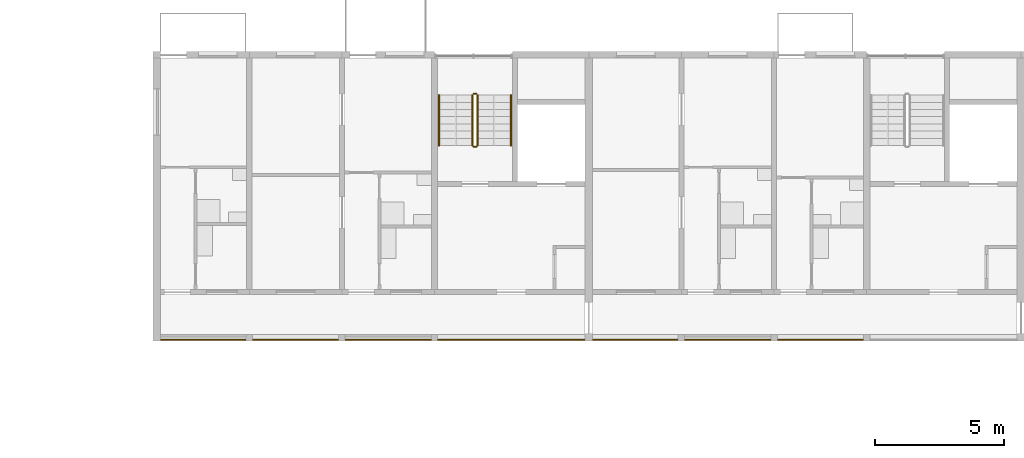
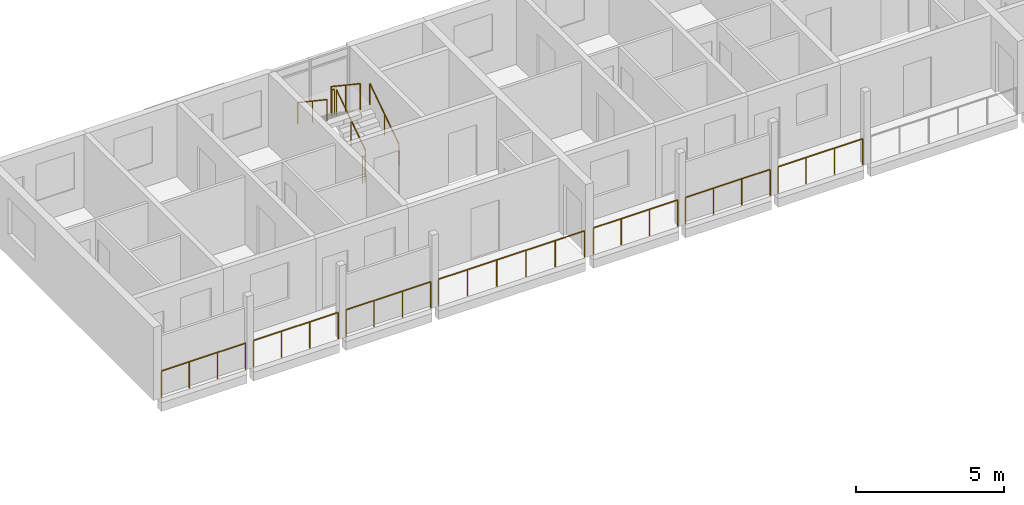
# One storey, part 84 of 93: 13 railings.
"""IFC4 building model written with IfcOpenShell, lengths in metres."""

from ifc_helpers import new_model, si_unit, direction, frame, origin, origin_2d, place, context, subcontext, project, spatial, circle, extrude, material, type_object, element, save


model = new_model("IFC4")

# Units and contexts
model_context = context("Model", 3, precision=1e-05, world=origin(), true_north=direction((0.0, 1.0)))
body_context = subcontext(model_context, "Body", "Model", "MODEL_VIEW")
ifc_project = project(units=[si_unit("LENGTHUNIT", "METRE"), si_unit("AREAUNIT", "SQUARE_METRE"), si_unit("VOLUMEUNIT", "CUBIC_METRE"), si_unit("PLANEANGLEUNIT", "RADIAN"), si_unit("MASSUNIT", "GRAM", prefix="KILO")], contexts=[model_context])

# Site, building, storey
site_placement = place(None, origin())
site = spatial("IfcSite", under=ifc_project, at=site_placement, CompositionType="ELEMENT")
building_placement = place(site_placement, origin())
building = spatial("IfcBuilding", under=site, at=building_placement, Name="Ridgestep Commons", CompositionType="ELEMENT")
storey_placement = place(building_placement, frame((0.0, 0.0, 18.0)))
storey = spatial("IfcBuildingStorey", under=building, at=storey_placement, Name="L06", CompositionType="ELEMENT", Elevation=18.0)

# Railings
ifc_material_1 = material(Name="Structural steel S355JR", Category="steel")
railing_type_1 = type_object("IfcRailingType", Name="Guard 1100", PredefinedType="GUARDRAIL", material=ifc_material_1)
railing_1_placement = place(storey_placement, frame((146.970947265625, 66.050048828125, 0.0)))
element("IfcRailing", 1, at=railing_1_placement, inside=storey, type_object=railing_type_1, Name="Gallery guard C 06.1", PredefinedType="GUARDRAIL", context=body_context, shape_type="SweptSolid", body=[
    extrude(circle(Radius=0.02392578125, at=origin_2d()), frame((0.0, 0.0, 1.076171875), z_axis=(1.0, 0.0, 0.0), x_axis=(0.0, 1.0, 0.0)), (0.0, 0.0, 1.0), 3.282958984375),
    extrude(circle(Radius=0.02099609375, at=origin_2d()), origin(), (0.0, 0.0, 1.0), 1.052001953125),
    extrude(circle(Radius=0.02099609375, at=origin_2d()), frame((1.09423828125, 0.0, 0.0)), (0.0, 0.0, 1.0), 1.052001953125),
    extrude(circle(Radius=0.02099609375, at=origin_2d()), frame((2.188720703125, 0.0, 0.0)), (0.0, 0.0, 1.0), 1.052001953125),
    extrude(circle(Radius=0.02099609375, at=origin_2d()), frame((3.282958984375, 0.0, 0.0)), (0.0, 0.0, 1.0), 1.052001953125),
])
for number, where, name in (
    (2, (150.5458984375, 66.050048828125, 0.0), "Gallery guard C 06.2"),
    (3, (154.14599609375, 66.050048828125, 0.0), "Gallery guard C 06.3"),
):
    element("IfcRailing", number, at=place(storey_placement, frame(where)), inside=storey, type_object=railing_type_1, Name=name, PredefinedType="GUARDRAIL", context=body_context, shape_type="SweptSolid", body=[
        extrude(circle(Radius=0.02392578125, at=origin_2d()), frame((0.0, 0.0, 1.076171875), z_axis=(1.0, 0.0, 0.0), x_axis=(0.0, 1.0, 0.0)), (0.0, 0.0, 1.0), 3.30810546875),
        extrude(circle(Radius=0.02099609375, at=origin_2d()), origin(), (0.0, 0.0, 1.0), 1.052001953125),
        extrude(circle(Radius=0.02099609375, at=origin_2d()), frame((1.102783203125, 0.0, 0.0)), (0.0, 0.0, 1.0), 1.052001953125),
        extrude(circle(Radius=0.02099609375, at=origin_2d()), frame((2.205322265625, 0.0, 0.0)), (0.0, 0.0, 1.0), 1.052001953125),
        extrude(circle(Radius=0.02099609375, at=origin_2d()), frame((3.30810546875, 0.0, 0.0)), (0.0, 0.0, 1.0), 1.052001953125),
    ])
railing_2_placement = place(storey_placement, frame((157.74609375, 66.050048828125, 0.0)))
element("IfcRailing", 4, at=railing_2_placement, inside=storey, type_object=railing_type_1, Name="Gallery guard C 06.4", PredefinedType="GUARDRAIL", context=body_context, shape_type="SweptSolid", body=[
    extrude(circle(Radius=0.02392578125, at=origin_2d()), frame((0.0, 0.0, 1.076171875), z_axis=(1.0, 0.0, 0.0), x_axis=(0.0, 1.0, 0.0)), (0.0, 0.0, 1.0), 5.682861328125),
    extrude(circle(Radius=0.02099609375, at=origin_2d()), origin(), (0.0, 0.0, 1.0), 1.052001953125),
    extrude(circle(Radius=0.02099609375, at=origin_2d()), frame((1.136474609375, 0.0, 0.0)), (0.0, 0.0, 1.0), 1.052001953125),
    extrude(circle(Radius=0.02099609375, at=origin_2d()), frame((2.273193359375, 0.0, 0.0)), (0.0, 0.0, 1.0), 1.052001953125),
    extrude(circle(Radius=0.02099609375, at=origin_2d()), frame((3.40966796875, 0.0, 0.0)), (0.0, 0.0, 1.0), 1.052001953125),
    extrude(circle(Radius=0.02099609375, at=origin_2d()), frame((4.54638671875, 0.0, 0.0)), (0.0, 0.0, 1.0), 1.052001953125),
    extrude(circle(Radius=0.02099609375, at=origin_2d()), frame((5.682861328125, 0.0, 0.0)), (0.0, 0.0, 1.0), 1.052001953125),
])
railing_3_placement = place(storey_placement, frame((163.77099609375, 66.050048828125, 0.0)))
element("IfcRailing", 5, at=railing_3_placement, inside=storey, type_object=railing_type_1, Name="Gallery guard C 06.5", PredefinedType="GUARDRAIL", context=body_context, shape_type="SweptSolid", body=[
    extrude(circle(Radius=0.02392578125, at=origin_2d()), frame((0.0, 0.0, 1.076171875), z_axis=(1.0, 0.0, 0.0), x_axis=(0.0, 1.0, 0.0)), (0.0, 0.0, 1.0), 3.282958984375),
    extrude(circle(Radius=0.02099609375, at=origin_2d()), origin(), (0.0, 0.0, 1.0), 1.052001953125),
    extrude(circle(Radius=0.02099609375, at=origin_2d()), frame((1.09423828125, 0.0, 0.0)), (0.0, 0.0, 1.0), 1.052001953125),
    extrude(circle(Radius=0.02099609375, at=origin_2d()), frame((2.188720703125, 0.0, 0.0)), (0.0, 0.0, 1.0), 1.052001953125),
    extrude(circle(Radius=0.02099609375, at=origin_2d()), frame((3.282958984375, 0.0, 0.0)), (0.0, 0.0, 1.0), 1.052001953125),
])
railing_4_placement = place(storey_placement, frame((167.345947265625, 66.050048828125, 0.0)))
element("IfcRailing", 6, at=railing_4_placement, inside=storey, type_object=railing_type_1, Name="Gallery guard C 06.6", PredefinedType="GUARDRAIL", context=body_context, shape_type="SweptSolid", body=[
    extrude(circle(Radius=0.02392578125, at=origin_2d()), frame((0.0, 0.0, 1.076171875), z_axis=(1.0, 0.0, 0.0), x_axis=(0.0, 1.0, 0.0)), (0.0, 0.0, 1.0), 3.30810546875),
    extrude(circle(Radius=0.02099609375, at=origin_2d()), origin(), (0.0, 0.0, 1.0), 1.052001953125),
    extrude(circle(Radius=0.02099609375, at=origin_2d()), frame((1.102783203125, 0.0, 0.0)), (0.0, 0.0, 1.0), 1.052001953125),
    extrude(circle(Radius=0.02099609375, at=origin_2d()), frame((2.205322265625, 0.0, 0.0)), (0.0, 0.0, 1.0), 1.052001953125),
    extrude(circle(Radius=0.02099609375, at=origin_2d()), frame((3.30810546875, 0.0, 0.0)), (0.0, 0.0, 1.0), 1.052001953125),
])
railing_5_placement = place(storey_placement, frame((170.946044921875, 66.050048828125, 0.0)))
element("IfcRailing", 7, at=railing_5_placement, inside=storey, type_object=railing_type_1, Name="Gallery guard C 06.7", PredefinedType="GUARDRAIL", context=body_context, shape_type="SweptSolid", body=[
    extrude(circle(Radius=0.02392578125, at=origin_2d()), frame((0.0, 0.0, 1.076171875), z_axis=(1.0, 0.0, 0.0), x_axis=(0.0, 1.0, 0.0)), (0.0, 0.0, 1.0), 3.307861328125),
    extrude(circle(Radius=0.02099609375, at=origin_2d()), origin(), (0.0, 0.0, 1.0), 1.052001953125),
    extrude(circle(Radius=0.02099609375, at=origin_2d()), frame((1.1025390625, 0.0, 0.0)), (0.0, 0.0, 1.0), 1.052001953125),
    extrude(circle(Radius=0.02099609375, at=origin_2d()), frame((2.205322265625, 0.0, 0.0)), (0.0, 0.0, 1.0), 1.052001953125),
    extrude(circle(Radius=0.02099609375, at=origin_2d()), frame((3.307861328125, 0.0, 0.0)), (0.0, 0.0, 1.0), 1.052001953125),
])
ifc_material_2 = material(Name="Structural steel S355JR", Category="steel")
railing_type_2 = type_object("IfcRailingType", Name="Stair guard 1100", PredefinedType="GUARDRAIL", material=ifc_material_2)
railing_6_placement = place(storey_placement, frame((159.27490234375, 73.60009765625, 0.1875)))
element("IfcRailing", 8, at=railing_6_placement, inside=storey, type_object=railing_type_2, Name="L06 C1C stair guard 1", PredefinedType="GUARDRAIL", context=body_context, shape_type="SweptSolid", body=[
    extrude(circle(Radius=0.02392578125, at=origin_2d()), frame((0.0, 0.0, 1.076171875), z_axis=(0.0, 0.830902050051, 0.556418712142), x_axis=(-1.0, 0.0, 0.0)), (0.0, 0.0, 1.0), 2.35888671875),
    extrude(circle(Radius=0.02099609375, at=origin_2d()), origin(), (0.0, 0.0, 1.0), 1.052001953125),
    extrude(circle(Radius=0.02099609375, at=origin_2d()), frame((0.0, 0.97998046875, 0.65625)), (0.0, 0.0, 1.0), 1.052001953125),
    extrude(circle(Radius=0.02099609375, at=origin_2d()), frame((0.0, 1.9599609375, 1.3125)), (0.0, 0.0, 1.0), 1.052001953125),
])
railing_7_placement = place(storey_placement, frame((159.22509765625, 75.610107421875, 1.5)))
element("IfcRailing", 9, at=railing_7_placement, inside=storey, type_object=railing_type_2, Name="L06 C1C stair guard 2", PredefinedType="GUARDRAIL", context=body_context, shape_type="SweptSolid", body=[
    extrude(circle(Radius=0.02392578125, at=origin_2d()), frame((0.0, 0.0, 1.076171875), z_axis=(-1.0, 0.0, 0.0), x_axis=(0.0, -1.0, 0.0)), (0.0, 0.0, 1.0), 0.10009765625),
    extrude(circle(Radius=0.02099609375, at=origin_2d()), origin(), (0.0, 0.0, 1.0), 1.052001953125),
    extrude(circle(Radius=0.02099609375, at=origin_2d()), frame((-0.10009765625, 0.0, 0.0)), (0.0, 0.0, 1.0), 1.052001953125),
])
railing_8_placement = place(storey_placement, frame((159.074951171875, 75.56005859375, 1.6875)))
element("IfcRailing", 10, at=railing_8_placement, inside=storey, type_object=railing_type_2, Name="L06 C1C stair guard 3", PredefinedType="GUARDRAIL", context=body_context, shape_type="SweptSolid", body=[
    extrude(circle(Radius=0.02392578125, at=origin_2d()), frame((0.0, 0.0, 1.076171875), z_axis=(0.0, -0.830902050051, 0.556418712142), x_axis=(1.0, 0.0, 0.0)), (0.0, 0.0, 1.0), 2.35888671875),
    extrude(circle(Radius=0.02099609375, at=origin_2d()), origin(), (0.0, 0.0, 1.0), 1.052001953125),
    extrude(circle(Radius=0.02099609375, at=origin_2d()), frame((0.0, -0.97998046875, 0.65625)), (0.0, 0.0, 1.0), 1.052001953125),
    extrude(circle(Radius=0.02099609375, at=origin_2d()), frame((0.0, -1.9599609375, 1.3125)), (0.0, 0.0, 1.0), 1.052001953125),
])
railing_9_placement = place(storey_placement, frame((159.22509765625, 73.550048828125, 0.0)))
element("IfcRailing", 11, at=railing_9_placement, inside=storey, type_object=railing_type_2, Name="L06 C1C stair guard 4", PredefinedType="GUARDRAIL", context=body_context, shape_type="SweptSolid", body=[
    extrude(circle(Radius=0.02392578125, at=origin_2d()), frame((0.0, 0.0, 1.076171875), z_axis=(-1.0, 0.0, 0.0), x_axis=(0.0, -1.0, 0.0)), (0.0, 0.0, 1.0), 0.10009765625),
    extrude(circle(Radius=0.02099609375, at=origin_2d()), origin(), (0.0, 0.0, 1.0), 1.052001953125),
    extrude(circle(Radius=0.02099609375, at=origin_2d()), frame((-0.10009765625, 0.0, 0.0)), (0.0, 0.0, 1.0), 1.052001953125),
])
ifc_material_3 = material(Name="Structural steel S355JR", Category="steel")
railing_type_3 = type_object("IfcRailingType", Name="Stair handrail 900", PredefinedType="HANDRAIL", material=ifc_material_3)
railing_10_placement = place(storey_placement, frame((160.574951171875, 73.60009765625, 0.1875)))
element("IfcRailing", 12, at=railing_10_placement, inside=storey, type_object=railing_type_3, Name="L06 C1C stair handrail 1", PredefinedType="HANDRAIL", context=body_context, shape_type="SweptSolid", body=[
    extrude(circle(Radius=0.02392578125, at=origin_2d()), frame((0.0, 0.0, 0.8759765625), z_axis=(0.0, 0.830902050051, 0.556418712142), x_axis=(-1.0, 0.0, 0.0)), (0.0, 0.0, 1.0), 2.35888671875),
    extrude(circle(Radius=0.02099609375, at=origin_2d()), origin(), (0.0, 0.0, 1.0), 0.851806640625),
    extrude(circle(Radius=0.02099609375, at=origin_2d()), frame((0.0, 0.97998046875, 0.65625)), (0.0, 0.0, 1.0), 0.851806640625),
    extrude(circle(Radius=0.02099609375, at=origin_2d()), frame((0.0, 1.9599609375, 1.3125)), (0.0, 0.0, 1.0), 0.851806640625),
])
railing_11_placement = place(storey_placement, frame((157.77490234375, 75.56005859375, 1.6875)))
element("IfcRailing", 13, at=railing_11_placement, inside=storey, type_object=railing_type_3, Name="L06 C1C stair handrail 2", PredefinedType="HANDRAIL", context=body_context, shape_type="SweptSolid", body=[
    extrude(circle(Radius=0.02392578125, at=origin_2d()), frame((0.0, 0.0, 0.8759765625), z_axis=(0.0, -0.830902050051, 0.556418712142), x_axis=(1.0, 0.0, 0.0)), (0.0, 0.0, 1.0), 2.35888671875),
    extrude(circle(Radius=0.02099609375, at=origin_2d()), origin(), (0.0, 0.0, 1.0), 0.851806640625),
    extrude(circle(Radius=0.02099609375, at=origin_2d()), frame((0.0, -0.97998046875, 0.65625)), (0.0, 0.0, 1.0), 0.851806640625),
    extrude(circle(Radius=0.02099609375, at=origin_2d()), frame((0.0, -1.9599609375, 1.3125)), (0.0, 0.0, 1.0), 0.851806640625),
])

save(model, "model.ifc")
